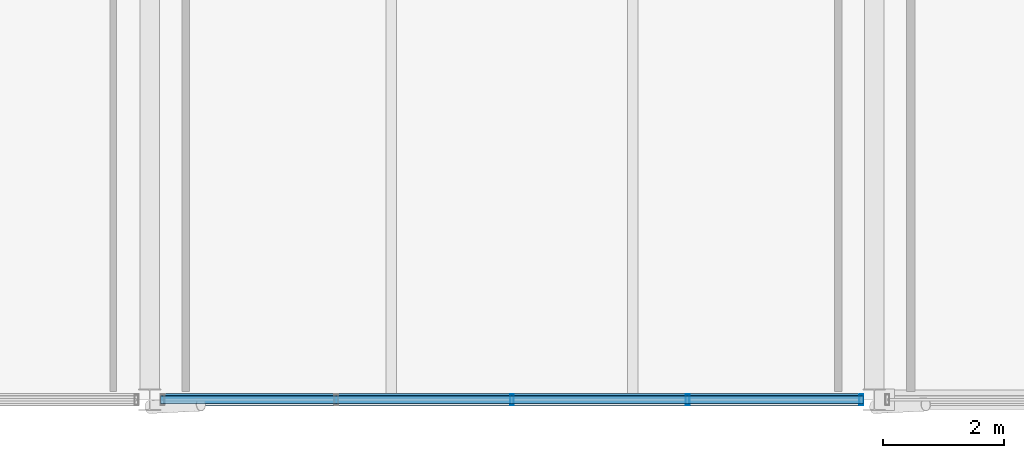
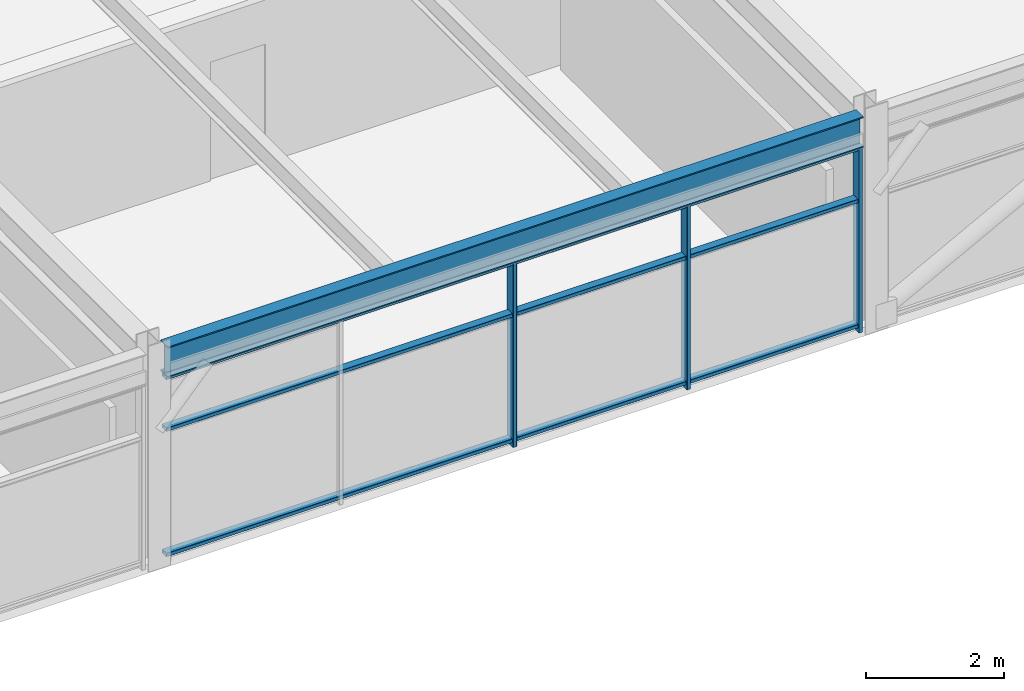
# One storey, part 25 of 40: 6 members, 1 beam, 1 element without a shape of its own.
"""IFC4 building model written with IfcOpenShell, lengths in metres."""

from ifc_helpers import new_model, si_unit, direction, frame, origin, origin_2d, place, context, subcontext, project, spatial, hollow_rectangle, i_section, extrude, material, material_profile, profile_set, type_object, element, aggregate, save


model = new_model("IFC4")

# Units and contexts
model_context = context("Model", 3, precision=1e-05, world=origin(), true_north=direction((0.0, 1.0)))
body_context = subcontext(model_context, "Body", "Model", "MODEL_VIEW")
ifc_project = project(units=[si_unit("LENGTHUNIT", "METRE"), si_unit("AREAUNIT", "SQUARE_METRE"), si_unit("VOLUMEUNIT", "CUBIC_METRE"), si_unit("PLANEANGLEUNIT", "RADIAN"), si_unit("MASSUNIT", "GRAM", prefix="KILO")], contexts=[model_context])

# Site, building, storey
site_placement = place(None, origin())
site = spatial("IfcSite", under=ifc_project, at=site_placement, CompositionType="ELEMENT")
building_placement = place(site_placement, origin())
building = spatial("IfcBuilding", under=site, at=building_placement, Name="Girod Span Mobility Hub", CompositionType="ELEMENT")
storey_placement = place(building_placement, frame((0.0, 0.0, 53.60009765625)))
storey = spatial("IfcBuildingStorey", under=building, at=storey_placement, Name="L13", CompositionType="ELEMENT", Elevation=53.60009765625)

# Beam
ifc_material_1 = material(Name="Steel A992 Grade 50", Category="steel")
ifc_material_profile_1 = material_profile(ifc_material_1, i_section(OverallWidth=0.2119140625, OverallDepth=0.5439453125, WebThickness=0.01318359375, FlangeThickness=0.021240234375, FilletRadius=0.014892578125, at=origin_2d()), Name="W21X83")
ifc_profile_set_1 = profile_set([ifc_material_profile_1], Name="Steel A992 Grade 50")
beam_type = type_object("IfcBeamType", Name="BM-STL-W21X83", PredefinedType="SPANDREL", material=ifc_profile_set_1)
beam_placement = place(storey_placement, frame((96.181396484375, 45.0, 3.54296875), z_axis=(1.0, 0.0, 0.0), x_axis=(0.0, 1.0, 0.0)))
element("IfcBeam", 1, at=beam_placement, inside=storey, type_object=beam_type, Name="Girder 9-10/D L13", PredefinedType="SPANDREL", context=body_context, shape_type="SweptSolid", body=[
    extrude(i_section(OverallWidth=0.2119140625, OverallDepth=0.5439453125, WebThickness=0.01318359375, FlangeThickness=0.021240234375, FilletRadius=0.014892578125, at=origin_2d()), origin(), (0.0, 0.0, 1.0), 11.63720703125),
])

# Curtain wall, members
ifc_material_2 = material(Name="Thermally Broken Anodised Aluminium", Category="aluminium")
curtain_wall_type = type_object("IfcCurtainWallType", Name="CW-1164X327", PredefinedType="USERDEFINED", material=ifc_material_2)
curtain_wall_placement = place(storey_placement, origin())
curtain_wall = element("IfcCurtainWall", 2, at=curtain_wall_placement, inside=storey, type_object=curtain_wall_type, Name="Unitised Curtain Wall CW-L13-S09 L13", ObjectType="UNITISED CURTAIN WALL", PredefinedType="USERDEFINED")
ifc_material_3 = material(Name="Thermally Broken Anodised Aluminium", Category="aluminium")
ifc_material_profile_2 = material_profile(ifc_material_3, hollow_rectangle(XDim=0.179931640625, YDim=0.06494140625, WallThickness=0.00390625, InnerFilletRadius=0.00390625, OuterFilletRadius=0.008056640625, at=origin_2d()), Name="CW-ML-65X180")
ifc_profile_set_2 = profile_set([ifc_material_profile_2], Name="Thermally Broken Anodised Aluminium")
member_type_1 = type_object("IfcMemberType", Name="CWM-ML-2", PredefinedType="MULLION", material=ifc_profile_set_2)
member_1_placement = place(storey_placement, frame((102.0, 45.0, 0.0), z_axis=(0.0, 0.0, 1.0), x_axis=(0.0, 1.0, 0.0)))
member_1 = element("IfcMember", 3, at=member_1_placement, type_object=member_type_1, Name="Curtain Wall Mullion CW-L13-S09-M2", PredefinedType="MULLION", context=body_context, shape_type="SweptSolid", body=[
    extrude(hollow_rectangle(XDim=0.179931640625, YDim=0.06494140625, WallThickness=0.00390625, InnerFilletRadius=0.00390625, OuterFilletRadius=0.008056640625, at=origin_2d()), origin(), (0.0, 0.0, 1.0), 3.27099609375),
])
member_2_placement = place(storey_placement, frame((104.90869140625, 45.0, 0.0), z_axis=(0.0, 0.0, 1.0), x_axis=(0.0, 1.0, 0.0)))
member_2 = element("IfcMember", 4, at=member_2_placement, type_object=member_type_1, Name="Curtain Wall Mullion CW-L13-S09-M3", PredefinedType="MULLION", context=body_context, shape_type="SweptSolid", body=[
    extrude(hollow_rectangle(XDim=0.179931640625, YDim=0.06494140625, WallThickness=0.00390625, InnerFilletRadius=0.00390625, OuterFilletRadius=0.008056640625, at=origin_2d()), origin(), (0.0, 0.0, 1.0), 3.27099609375),
])
member_3_placement = place(storey_placement, frame((107.785400390625, 45.0, 0.0), z_axis=(0.0, 0.0, 1.0), x_axis=(0.0, 1.0, 0.0)))
member_3 = element("IfcMember", 5, at=member_3_placement, type_object=member_type_1, Name="Curtain Wall Mullion CW-L13-S09-M4", PredefinedType="MULLION", context=body_context, shape_type="SweptSolid", body=[
    extrude(hollow_rectangle(XDim=0.179931640625, YDim=0.06494140625, WallThickness=0.00390625, InnerFilletRadius=0.00390625, OuterFilletRadius=0.008056640625, at=origin_2d()), origin(), (0.0, 0.0, 1.0), 3.27099609375),
])
ifc_material_4 = material(Name="Thermally Broken Anodised Aluminium", Category="aluminium")
ifc_material_profile_3 = material_profile(ifc_material_4, hollow_rectangle(XDim=0.135009765625, YDim=0.06494140625, WallThickness=0.00390625, InnerFilletRadius=0.00390625, OuterFilletRadius=0.008056640625, at=origin_2d()), Name="CW-TR-65X135")
ifc_profile_set_3 = profile_set([ifc_material_profile_3], Name="Thermally Broken Anodised Aluminium")
member_type_2 = type_object("IfcMemberType", Name="CWM-TR-2", PredefinedType="USERDEFINED", material=ifc_profile_set_3)
member_4_placement = place(storey_placement, frame((96.1826171875, 45.0, 0.107421875), z_axis=(1.0, 0.0, 0.0), x_axis=(0.0, 1.0, 0.0)))
member_4 = element("IfcMember", 6, at=member_4_placement, type_object=member_type_2, Name="Curtain Wall Transom CW-L13-S09-T1", ObjectType="TRANSOM", PredefinedType="USERDEFINED", context=body_context, shape_type="SweptSolid", body=[
    extrude(hollow_rectangle(XDim=0.135009765625, YDim=0.06494140625, WallThickness=0.00390625, InnerFilletRadius=0.00390625, OuterFilletRadius=0.008056640625, at=origin_2d()), origin(), (0.0, 0.0, 1.0), 11.634765625),
])
member_5_placement = place(storey_placement, frame((96.1826171875, 45.0, 2.322509765625), z_axis=(1.0, 0.0, 0.0), x_axis=(0.0, 1.0, 0.0)))
member_5 = element("IfcMember", 7, at=member_5_placement, type_object=member_type_2, Name="Curtain Wall Transom CW-L13-S09-T2", ObjectType="TRANSOM", PredefinedType="USERDEFINED", context=body_context, shape_type="SweptSolid", body=[
    extrude(hollow_rectangle(XDim=0.135009765625, YDim=0.06494140625, WallThickness=0.00390625, InnerFilletRadius=0.00390625, OuterFilletRadius=0.008056640625, at=origin_2d()), origin(), (0.0, 0.0, 1.0), 11.634765625),
])
member_6_placement = place(storey_placement, frame((96.1826171875, 45.0, 3.23828125), z_axis=(1.0, 0.0, 0.0), x_axis=(0.0, 1.0, 0.0)))
member_6 = element("IfcMember", 8, at=member_6_placement, type_object=member_type_2, Name="Curtain Wall Transom CW-L13-S09-T3", ObjectType="TRANSOM", PredefinedType="USERDEFINED", context=body_context, shape_type="SweptSolid", body=[
    extrude(hollow_rectangle(XDim=0.135009765625, YDim=0.06494140625, WallThickness=0.00390625, InnerFilletRadius=0.00390625, OuterFilletRadius=0.008056640625, at=origin_2d()), origin(), (0.0, 0.0, 1.0), 11.634765625),
])
aggregate(curtain_wall, [member_1, member_2, member_3, member_4, member_5, member_6])

save(model, "model.ifc")
